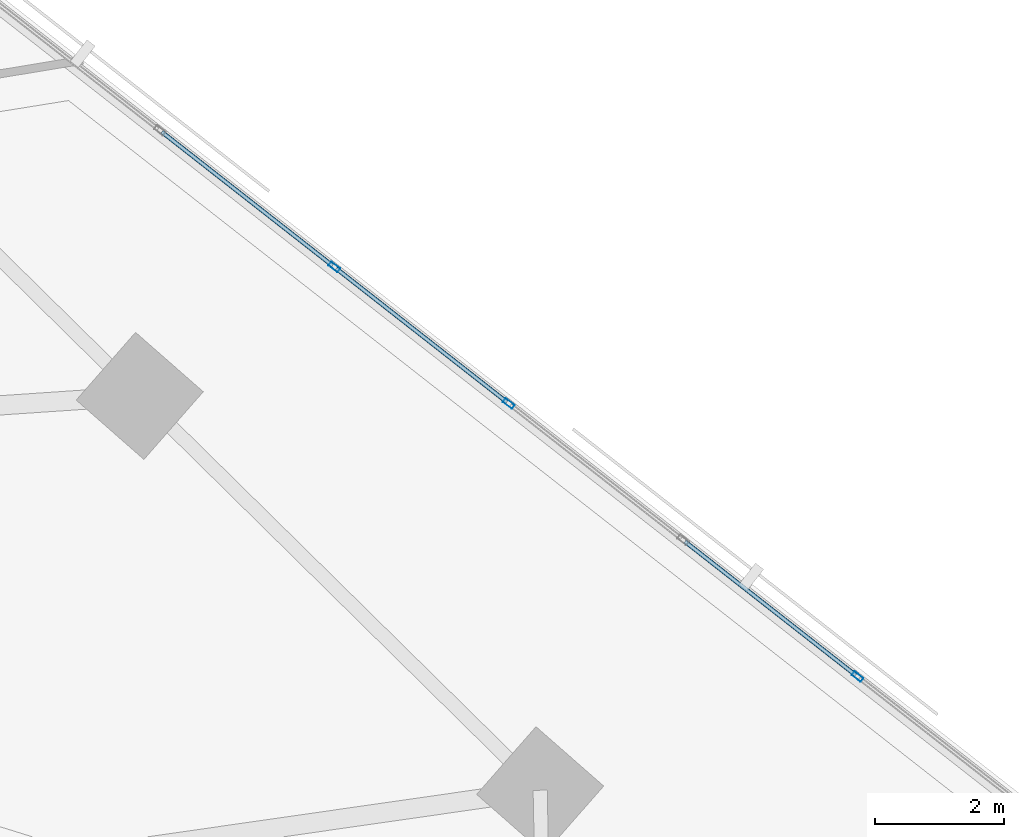
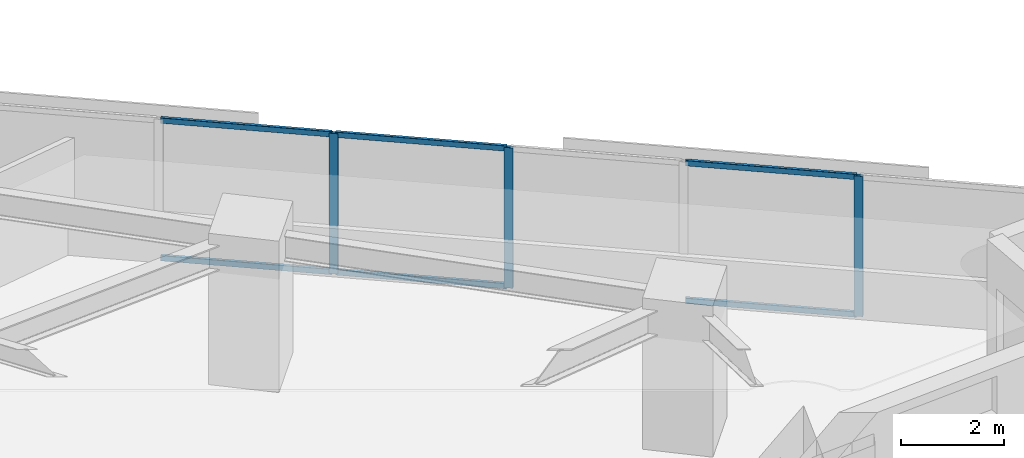
# One storey, part 5 of 15: 9 members, 1 element without a shape of its own.
"""IFC4 building model written with IfcOpenShell, lengths in metres."""

from ifc_helpers import new_model, si_unit, direction, frame, origin, origin_2d, place, context, subcontext, project, spatial, hollow_rectangle, extrude, material, material_profile, profile_set, type_object, element, aggregate, save


model = new_model("IFC4")

# Units and contexts
model_context = context("Model", 3, precision=1e-05, world=origin(), true_north=direction((0.0, 1.0)))
body_context = subcontext(model_context, "Body", "Model", "MODEL_VIEW")
ifc_project = project(units=[si_unit("LENGTHUNIT", "METRE"), si_unit("AREAUNIT", "SQUARE_METRE"), si_unit("VOLUMEUNIT", "CUBIC_METRE"), si_unit("PLANEANGLEUNIT", "RADIAN"), si_unit("MASSUNIT", "GRAM", prefix="KILO")], contexts=[model_context])

# Site, building, storey
site_placement = place(None, origin())
site = spatial("IfcSite", under=ifc_project, at=site_placement, CompositionType="ELEMENT")
building_placement = place(site_placement, origin())
building = spatial("IfcBuilding", under=site, at=building_placement, Name="Narakoshi Arena Tower", CompositionType="ELEMENT")
storey_placement = place(building_placement, frame((0.0, 0.0, 70.5)))
storey = spatial("IfcBuildingStorey", under=building, at=storey_placement, Name="L18", CompositionType="ELEMENT", Elevation=70.5)

# Curtain wall, members
ifc_material = material(Name="Anodised bronze aluminium 6063-T6", Category="aluminium")
curtain_wall_type = type_object("IfcCurtainWallType", Name="CW-HYP-LOW", PredefinedType="NOTDEFINED", material=ifc_material)
curtain_wall_placement = place(storey_placement, origin())
curtain_wall = element("IfcCurtainWall", 1, at=curtain_wall_placement, inside=storey, type_object=curtain_wall_type, Name="L18 Folded Hypotenuse Curtain Wall 1-1", PredefinedType="NOTDEFINED")
ifc_material_profile_1 = material_profile(ifc_material, hollow_rectangle(XDim=0.074951171875, YDim=0.179931640625, WallThickness=0.00390625, OuterFilletRadius=0.0048828125, at=origin_2d()), Name="MUL180x75x4")
ifc_profile_set_1 = profile_set([ifc_material_profile_1], Name="Anodised bronze aluminium 6063-T6")
member_type_1 = type_object("IfcMemberType", Name="MEM-MUL-180", PredefinedType="MULLION", material=ifc_profile_set_1)
member_1_placement = place(storey_placement, frame((118.150634765625, 40.435791015625, 0.0), z_axis=(0.0, 0.0, 1.0), x_axis=(-0.616458234641, -0.787387607817, 0.0)))
member_1 = element("IfcMember", 2, at=member_1_placement, type_object=member_type_1, Name="CW-01 mullion 2", PredefinedType="MULLION", context=body_context, shape_type="SweptSolid", body=[
    extrude(hollow_rectangle(XDim=0.074951171875, YDim=0.179931640625, WallThickness=0.00390625, OuterFilletRadius=0.0048828125, at=origin_2d()), origin(), (0.0, 0.0, 1.0), 3.340087890625),
])
member_2_placement = place(storey_placement, frame((112.7275390625, 44.681640625, 0.0), z_axis=(0.0, 0.0, 1.0), x_axis=(-0.616458234641, -0.787387607817, 0.0)))
member_2 = element("IfcMember", 3, at=member_2_placement, type_object=member_type_1, Name="CW-01 mullion 4", PredefinedType="MULLION", context=body_context, shape_type="SweptSolid", body=[
    extrude(hollow_rectangle(XDim=0.074951171875, YDim=0.179931640625, WallThickness=0.00390625, OuterFilletRadius=0.0048828125, at=origin_2d()), origin(), (0.0, 0.0, 1.0), 3.340087890625),
])
member_3_placement = place(storey_placement, frame((110.015869140625, 46.8046875, 0.0), z_axis=(0.0, 0.0, 1.0), x_axis=(-0.616458234641, -0.787387607817, 0.0)))
member_3 = element("IfcMember", 4, at=member_3_placement, type_object=member_type_1, Name="CW-01 mullion 5", PredefinedType="MULLION", context=body_context, shape_type="SweptSolid", body=[
    extrude(hollow_rectangle(XDim=0.074951171875, YDim=0.179931640625, WallThickness=0.00390625, OuterFilletRadius=0.0048828125, at=origin_2d()), origin(), (0.0, 0.0, 1.0), 3.340087890625),
])
ifc_material_profile_2 = material_profile(ifc_material, hollow_rectangle(XDim=0.06494140625, YDim=0.1298828125, WallThickness=0.00390625, OuterFilletRadius=0.0048828125, at=origin_2d()), Name="TRN130x65x4")
ifc_profile_set_2 = profile_set([ifc_material_profile_2], Name="Anodised bronze aluminium 6063-T6")
member_type_2 = type_object("IfcMemberType", Name="MEM-TRN-130", PredefinedType="USERDEFINED", material=ifc_profile_set_2)
member_4_placement = place(storey_placement, frame((118.12109375, 40.458984375, 0.032470703125), z_axis=(-0.787400998112, 0.616441131149, 0.0), x_axis=(-0.616441131149, -0.787400998112, 0.0)))
member_4 = element("IfcMember", 5, at=member_4_placement, type_object=member_type_2, Name="CW-01 transom 2.1", ObjectType="TRANSOM", PredefinedType="USERDEFINED", context=body_context, shape_type="SweptSolid", body=[
    extrude(hollow_rectangle(XDim=0.06494140625, YDim=0.1298828125, WallThickness=0.00390625, OuterFilletRadius=0.0048828125, at=origin_2d()), origin(), (0.0, 0.0, 1.0), 3.368896484375),
])
member_5_placement = place(storey_placement, frame((118.12109375, 40.458984375, 3.3076171875), z_axis=(-0.787400998112, 0.616441131149, 0.0), x_axis=(-0.616441131149, -0.787400998112, 0.0)))
member_5 = element("IfcMember", 6, at=member_5_placement, type_object=member_type_2, Name="CW-01 transom 2.2", ObjectType="TRANSOM", PredefinedType="USERDEFINED", context=body_context, shape_type="SweptSolid", body=[
    extrude(hollow_rectangle(XDim=0.06494140625, YDim=0.1298828125, WallThickness=0.00390625, OuterFilletRadius=0.0048828125, at=origin_2d()), origin(), (0.0, 0.0, 1.0), 3.368896484375),
])
member_6_placement = place(storey_placement, frame((112.697998046875, 44.704833984375, 0.032470703125), z_axis=(-0.787400998112, 0.616441131149, 0.0), x_axis=(-0.616441131149, -0.787400998112, 0.0)))
member_6 = element("IfcMember", 7, at=member_6_placement, type_object=member_type_2, Name="CW-01 transom 4.1", ObjectType="TRANSOM", PredefinedType="USERDEFINED", context=body_context, shape_type="SweptSolid", body=[
    extrude(hollow_rectangle(XDim=0.06494140625, YDim=0.1298828125, WallThickness=0.00390625, OuterFilletRadius=0.0048828125, at=origin_2d()), origin(), (0.0, 0.0, 1.0), 3.368896484375),
])
member_7_placement = place(storey_placement, frame((112.697998046875, 44.704833984375, 3.3076171875), z_axis=(-0.787400998112, 0.616441131149, 0.0), x_axis=(-0.616441131149, -0.787400998112, 0.0)))
member_7 = element("IfcMember", 8, at=member_7_placement, type_object=member_type_2, Name="CW-01 transom 4.2", ObjectType="TRANSOM", PredefinedType="USERDEFINED", context=body_context, shape_type="SweptSolid", body=[
    extrude(hollow_rectangle(XDim=0.06494140625, YDim=0.1298828125, WallThickness=0.00390625, OuterFilletRadius=0.0048828125, at=origin_2d()), origin(), (0.0, 0.0, 1.0), 3.368896484375),
])
member_8_placement = place(storey_placement, frame((109.986328125, 46.827880859375, 0.032470703125), z_axis=(-0.787373456673, 0.616476309137, 0.0), x_axis=(-0.616476309137, -0.787373456673, 0.0)))
member_8 = element("IfcMember", 9, at=member_8_placement, type_object=member_type_2, Name="CW-01 transom 5.1", ObjectType="TRANSOM", PredefinedType="USERDEFINED", context=body_context, shape_type="SweptSolid", body=[
    extrude(hollow_rectangle(XDim=0.06494140625, YDim=0.1298828125, WallThickness=0.00390625, OuterFilletRadius=0.0048828125, at=origin_2d()), origin(), (0.0, 0.0, 1.0), 3.36865234375),
])
member_9_placement = place(storey_placement, frame((109.986328125, 46.827880859375, 3.3076171875), z_axis=(-0.787373456673, 0.616476309137, 0.0), x_axis=(-0.616476309137, -0.787373456673, 0.0)))
member_9 = element("IfcMember", 10, at=member_9_placement, type_object=member_type_2, Name="CW-01 transom 5.2", ObjectType="TRANSOM", PredefinedType="USERDEFINED", context=body_context, shape_type="SweptSolid", body=[
    extrude(hollow_rectangle(XDim=0.06494140625, YDim=0.1298828125, WallThickness=0.00390625, OuterFilletRadius=0.0048828125, at=origin_2d()), origin(), (0.0, 0.0, 1.0), 3.36865234375),
])
aggregate(curtain_wall, [member_1, member_2, member_3, member_4, member_5, member_6, member_7, member_8, member_9])

save(model, "model.ifc")
